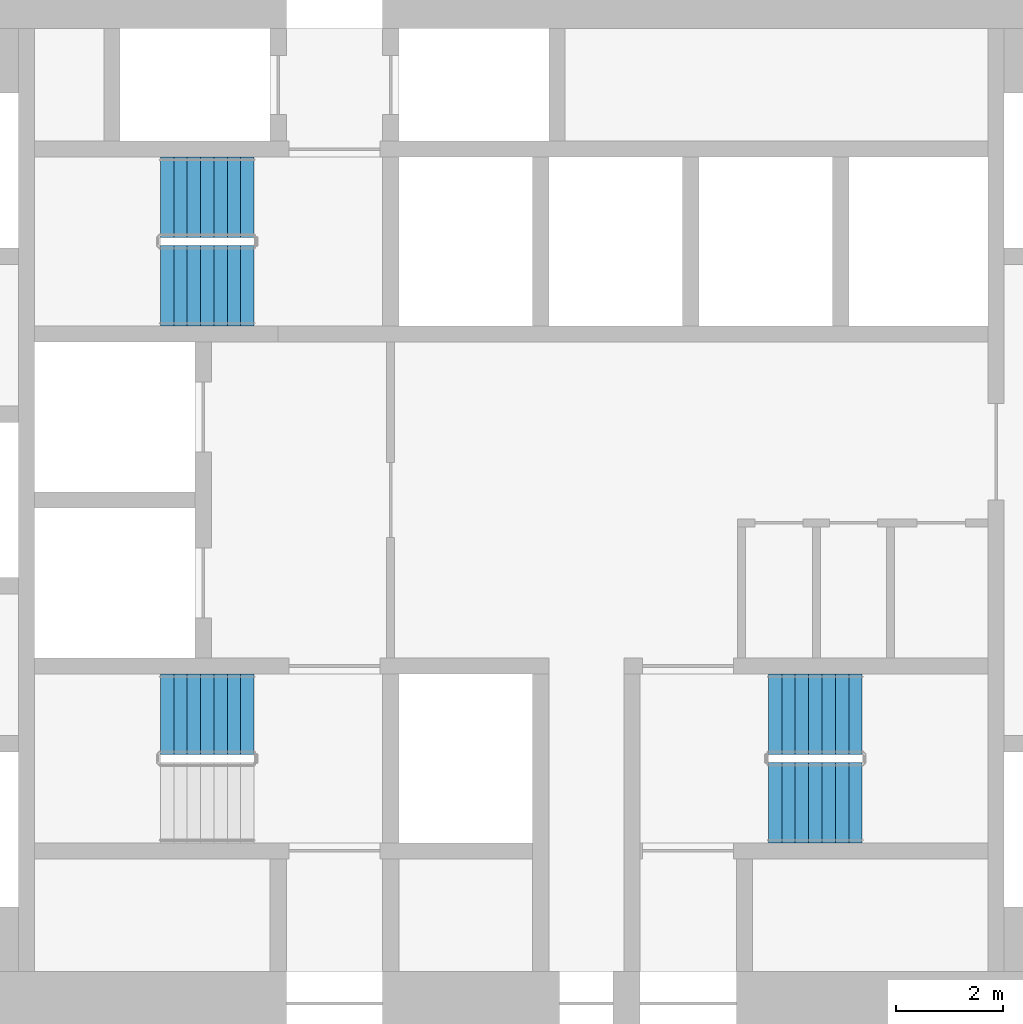
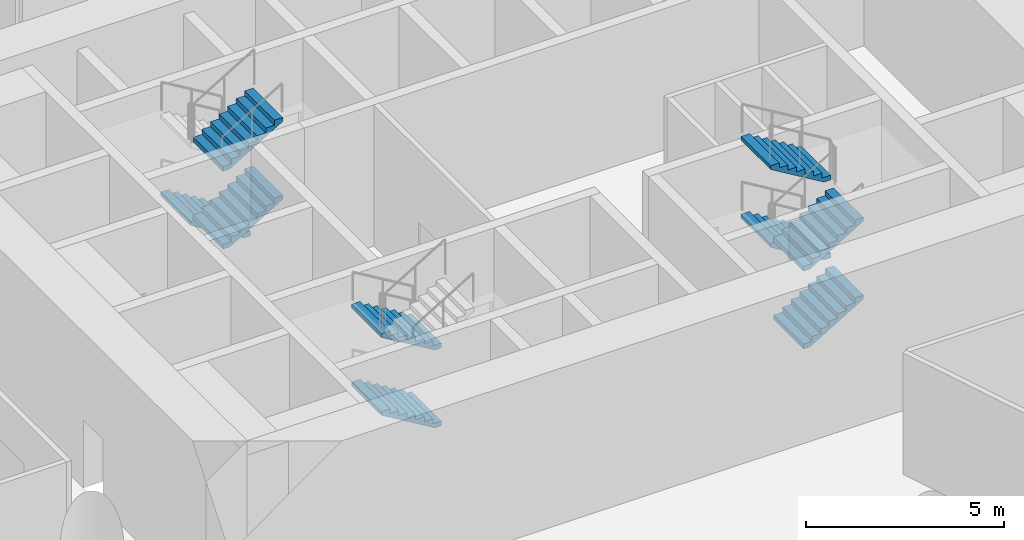
# One storey, part 10 of 12: 9 stair flights, 3 elements without a shape of their own.
"""IFC4 building model written with IfcOpenShell, lengths in metres."""

from ifc_helpers import new_model, si_unit, direction, frame, origin, place, context, subcontext, project, spatial, polyline, outline, extrude, material, type_object, element, aggregate, save


model = new_model("IFC4")

# Units and contexts
model_context = context("Model", 3, precision=1e-05, world=origin(), true_north=direction((0.0, 1.0)))
body_context = subcontext(model_context, "Body", "Model", "MODEL_VIEW")
ifc_project = project(units=[si_unit("LENGTHUNIT", "METRE"), si_unit("AREAUNIT", "SQUARE_METRE"), si_unit("VOLUMEUNIT", "CUBIC_METRE"), si_unit("PLANEANGLEUNIT", "RADIAN"), si_unit("MASSUNIT", "GRAM", prefix="KILO")], contexts=[model_context])

# Site, building, storey
site_placement = place(None, origin())
site = spatial("IfcSite", under=ifc_project, at=site_placement, CompositionType="ELEMENT")
building_placement = place(site_placement, origin())
building = spatial("IfcBuilding", under=site, at=building_placement, Name="Tracery Tower", CompositionType="ELEMENT")
storey_placement = place(building_placement, frame((0.0, 0.0, 13.800048828125)))
storey = spatial("IfcBuildingStorey", under=building, at=storey_placement, Name="L02", CompositionType="ELEMENT", Elevation=13.800048828125)

# Stair, stair flights
ifc_material_1 = material(Name="Concrete C32/40", Category="concrete")
stair_type = type_object("IfcStairType", Name="Core stair 32 risers", PredefinedType="HALF_TURN_STAIR", material=ifc_material_1)
stair_1_placement = place(storey_placement, origin())
stair_1 = element("IfcStair", 1, at=stair_1_placement, inside=storey, type_object=stair_type, Name="L02 stair ST1", PredefinedType="HALF_TURN_STAIR")
ifc_material_2 = material(Name="Concrete C32/40", Category="concrete")
stair_flight_type = type_object("IfcStairFlightType", Name="Core stair flight 8 risers", PredefinedType="STRAIGHT", material=ifc_material_2)
stair_flight_1_placement = place(storey_placement, frame((-4.800048828125, -4.0, 0.0), z_axis=(0.0, 0.0, 1.0), x_axis=(-1.0, 0.0, 0.0)))
stair_flight_1 = element("IfcStairFlight", 2, at=stair_flight_1_placement, type_object=stair_flight_type, Name="ST1 flight 1", NumberOfRisers=8, NumberOfTreads=7, PredefinedType="STRAIGHT", RiserHeight=0.15, TreadLength=0.25, context=body_context, shape_type="SweptSolid", body=[
    extrude(outline(polyline([(0.0, 0.0), (0.0, 0.00244140625), (0.0, 0.0048828125), (0.0, 0.00732421875), (0.0, 0.009765625), (0.0, 0.01220703125), (0.0, 0.0146484375), (0.0, 0.017333984375), (0.0, 0.019775390625), (0.0, 0.022216796875), (0.0, 0.024658203125), (0.0, 0.027099609375), (0.0, 0.029541015625), (0.0, 0.031982421875), (0.0, 0.034423828125), (0.0, 0.036865234375), (0.0, 0.039306640625), (0.0, 0.041748046875), (0.0, 0.044189453125), (0.0, 0.046630859375), (0.0, 0.049072265625), (0.0, 0.0517578125), (0.0, 0.05419921875), (0.0, 0.056640625), (0.0, 0.05908203125), (0.0, 0.0615234375), (0.0, 0.06396484375), (0.0, 0.06640625), (0.0, 0.06884765625), (0.0, 0.0712890625), (0.0, 0.07373046875), (0.0, 0.076171875), (0.0, 0.07861328125), (0.0, 0.0810546875), (0.0, 0.08349609375), (0.0, 0.086181640625), (0.0, 0.088623046875), (0.0, 0.091064453125), (0.0, 0.093505859375), (0.0, 0.095947265625), (0.0, 0.098388671875), (0.0, 0.100830078125), (0.0, 0.103271484375), (0.0, 0.105712890625), (0.0, 0.108154296875), (0.0, 0.110595703125), (0.0, 0.113037109375), (0.0, 0.115478515625), (0.0, 0.117919921875), (0.0, 0.12060546875), (0.0, 0.123046875), (0.0, 0.12548828125), (0.0, 0.1279296875), (0.0, 0.13037109375), (0.0, 0.1328125), (0.0, 0.13525390625), (0.0, 0.1376953125), (0.0, 0.14013671875), (0.0, 0.142578125), (0.0, 0.14501953125), (0.0, 0.1474609375), (0.0, 0.14990234375), (0.25, 0.14990234375), (0.25, 0.300048828125), (0.5, 0.300048828125), (0.5, 0.449951171875), (0.75, 0.449951171875), (0.75, 0.60009765625), (1.0, 0.60009765625), (1.0, 0.75), (1.25, 0.75), (1.25, 0.89990234375), (1.5, 0.89990234375), (1.5, 1.050048828125), (1.75, 1.050048828125), (1.75, 1.048095703125), (1.75, 1.046142578125), (1.75, 1.044189453125), (1.75, 1.042236328125), (1.75, 1.04052734375), (1.75, 1.03857421875), (1.75, 1.03662109375), (1.75, 1.03466796875), (1.75, 1.03271484375), (1.75, 1.03076171875), (1.75, 1.029052734375), (1.75, 1.027099609375), (1.75, 1.025146484375), (1.75, 1.023193359375), (1.75, 1.021240234375), (1.75, 1.019287109375), (1.75, 1.017578125), (1.75, 1.015625), (1.75, 1.013671875), (1.75, 1.01171875), (1.75, 1.009765625), (1.75, 1.0078125), (1.75, 1.006103515625), (1.75, 1.004150390625), (1.75, 1.002197265625), (1.75, 1.000244140625), (1.75, 0.998291015625), (1.75, 0.996337890625), (1.75, 0.994384765625), (1.75, 0.99267578125), (1.75, 0.99072265625), (1.75, 0.98876953125), (1.75, 0.98681640625), (1.75, 0.98486328125), (1.75, 0.98291015625), (1.75, 0.981201171875), (1.75, 0.979248046875), (1.75, 0.977294921875), (1.75, 0.975341796875), (1.75, 0.973388671875), (1.75, 0.971435546875), (1.75, 0.9697265625), (1.75, 0.9677734375), (1.75, 0.9658203125), (1.75, 0.9638671875), (1.75, 0.9619140625), (1.75, 0.9599609375), (1.75, 0.958251953125), (1.75, 0.956298828125), (1.75, 0.954345703125), (1.75, 0.952392578125), (1.75, 0.950439453125), (1.75, 0.948486328125), (1.75, 0.94677734375), (1.75, 0.94482421875), (1.75, 0.94287109375), (1.75, 0.94091796875), (1.75, 0.93896484375), (1.75, 0.93701171875), (1.75, 0.935302734375), (1.75, 0.933349609375), (0.194580078125, 0.0), (0.0, 0.0)])), frame((0.0, 0.75, 0.0), z_axis=(0.0, -1.0, 0.0), x_axis=(1.0, 0.0, 0.0)), (0.0, 0.0, 1.0), 1.5),
])
stair_flight_2_placement = place(storey_placement, frame((-4.800048828125, -4.0, 2.39990234375), z_axis=(0.0, 0.0, 1.0), x_axis=(-1.0, 0.0, 0.0)))
stair_flight_2 = element("IfcStairFlight", 3, at=stair_flight_2_placement, type_object=stair_flight_type, Name="ST1 flight 3", NumberOfRisers=8, NumberOfTreads=7, PredefinedType="STRAIGHT", RiserHeight=0.15, TreadLength=0.25, context=body_context, shape_type="SweptSolid", body=[
    extrude(outline(polyline([(0.0, 0.0), (0.0, 0.00244140625), (0.0, 0.0048828125), (0.0, 0.00732421875), (0.0, 0.009765625), (0.0, 0.01220703125), (0.0, 0.0146484375), (0.0, 0.017333984375), (0.0, 0.019775390625), (0.0, 0.022216796875), (0.0, 0.024658203125), (0.0, 0.027099609375), (0.0, 0.029541015625), (0.0, 0.031982421875), (0.0, 0.034423828125), (0.0, 0.036865234375), (0.0, 0.039306640625), (0.0, 0.041748046875), (0.0, 0.044189453125), (0.0, 0.046630859375), (0.0, 0.049072265625), (0.0, 0.0517578125), (0.0, 0.05419921875), (0.0, 0.056640625), (0.0, 0.05908203125), (0.0, 0.0615234375), (0.0, 0.06396484375), (0.0, 0.06640625), (0.0, 0.06884765625), (0.0, 0.0712890625), (0.0, 0.07373046875), (0.0, 0.076171875), (0.0, 0.07861328125), (0.0, 0.0810546875), (0.0, 0.08349609375), (0.0, 0.086181640625), (0.0, 0.088623046875), (0.0, 0.091064453125), (0.0, 0.093505859375), (0.0, 0.095947265625), (0.0, 0.098388671875), (0.0, 0.100830078125), (0.0, 0.103271484375), (0.0, 0.105712890625), (0.0, 0.108154296875), (0.0, 0.110595703125), (0.0, 0.113037109375), (0.0, 0.115478515625), (0.0, 0.117919921875), (0.0, 0.12060546875), (0.0, 0.123046875), (0.0, 0.12548828125), (0.0, 0.1279296875), (0.0, 0.13037109375), (0.0, 0.1328125), (0.0, 0.13525390625), (0.0, 0.1376953125), (0.0, 0.14013671875), (0.0, 0.142578125), (0.0, 0.14501953125), (0.0, 0.1474609375), (0.0, 0.14990234375), (0.25, 0.14990234375), (0.25, 0.300048828125), (0.5, 0.300048828125), (0.5, 0.449951171875), (0.75, 0.449951171875), (0.75, 0.60009765625), (1.0, 0.60009765625), (1.0, 0.75), (1.25, 0.75), (1.25, 0.89990234375), (1.5, 0.89990234375), (1.5, 1.050048828125), (1.75, 1.050048828125), (1.75, 1.048095703125), (1.75, 1.046142578125), (1.75, 1.044189453125), (1.75, 1.042236328125), (1.75, 1.04052734375), (1.75, 1.03857421875), (1.75, 1.03662109375), (1.75, 1.03466796875), (1.75, 1.03271484375), (1.75, 1.03076171875), (1.75, 1.029052734375), (1.75, 1.027099609375), (1.75, 1.025146484375), (1.75, 1.023193359375), (1.75, 1.021240234375), (1.75, 1.019287109375), (1.75, 1.017578125), (1.75, 1.015625), (1.75, 1.013671875), (1.75, 1.01171875), (1.75, 1.009765625), (1.75, 1.0078125), (1.75, 1.006103515625), (1.75, 1.004150390625), (1.75, 1.002197265625), (1.75, 1.000244140625), (1.75, 0.998291015625), (1.75, 0.996337890625), (1.75, 0.994384765625), (1.75, 0.99267578125), (1.75, 0.99072265625), (1.75, 0.98876953125), (1.75, 0.98681640625), (1.75, 0.98486328125), (1.75, 0.98291015625), (1.75, 0.981201171875), (1.75, 0.979248046875), (1.75, 0.977294921875), (1.75, 0.975341796875), (1.75, 0.973388671875), (1.75, 0.971435546875), (1.75, 0.9697265625), (1.75, 0.9677734375), (1.75, 0.9658203125), (1.75, 0.9638671875), (1.75, 0.9619140625), (1.75, 0.9599609375), (1.75, 0.958251953125), (1.75, 0.956298828125), (1.75, 0.954345703125), (1.75, 0.952392578125), (1.75, 0.950439453125), (1.75, 0.948486328125), (1.75, 0.94677734375), (1.75, 0.94482421875), (1.75, 0.94287109375), (1.75, 0.94091796875), (1.75, 0.93896484375), (1.75, 0.93701171875), (1.75, 0.935302734375), (1.75, 0.933349609375), (0.194580078125, 0.0), (0.0, 0.0)])), frame((0.0, 0.75, 0.0), z_axis=(0.0, -1.0, 0.0), x_axis=(1.0, 0.0, 0.0)), (0.0, 0.0, 1.0), 1.5),
])
aggregate(stair_1, [stair_flight_1, stair_flight_2])

stair_2_placement = place(storey_placement, origin())
stair_2 = element("IfcStair", 4, at=stair_2_placement, inside=storey, type_object=stair_type, Name="L02 stair ST3", PredefinedType="HALF_TURN_STAIR")
stair_flight_3_placement = place(storey_placement, frame((-4.800048828125, 5.64990234375, 0.0), z_axis=(0.0, 0.0, 1.0), x_axis=(-1.0, 0.0, 0.0)))
stair_flight_3 = element("IfcStairFlight", 5, at=stair_flight_3_placement, type_object=stair_flight_type, Name="ST3 flight 1", NumberOfRisers=8, NumberOfTreads=7, PredefinedType="STRAIGHT", RiserHeight=0.15, TreadLength=0.25, context=body_context, shape_type="SweptSolid", body=[
    extrude(outline(polyline([(0.0, 0.0), (0.0, 0.00244140625), (0.0, 0.0048828125), (0.0, 0.00732421875), (0.0, 0.009765625), (0.0, 0.01220703125), (0.0, 0.0146484375), (0.0, 0.017333984375), (0.0, 0.019775390625), (0.0, 0.022216796875), (0.0, 0.024658203125), (0.0, 0.027099609375), (0.0, 0.029541015625), (0.0, 0.031982421875), (0.0, 0.034423828125), (0.0, 0.036865234375), (0.0, 0.039306640625), (0.0, 0.041748046875), (0.0, 0.044189453125), (0.0, 0.046630859375), (0.0, 0.049072265625), (0.0, 0.0517578125), (0.0, 0.05419921875), (0.0, 0.056640625), (0.0, 0.05908203125), (0.0, 0.0615234375), (0.0, 0.06396484375), (0.0, 0.06640625), (0.0, 0.06884765625), (0.0, 0.0712890625), (0.0, 0.07373046875), (0.0, 0.076171875), (0.0, 0.07861328125), (0.0, 0.0810546875), (0.0, 0.08349609375), (0.0, 0.086181640625), (0.0, 0.088623046875), (0.0, 0.091064453125), (0.0, 0.093505859375), (0.0, 0.095947265625), (0.0, 0.098388671875), (0.0, 0.100830078125), (0.0, 0.103271484375), (0.0, 0.105712890625), (0.0, 0.108154296875), (0.0, 0.110595703125), (0.0, 0.113037109375), (0.0, 0.115478515625), (0.0, 0.117919921875), (0.0, 0.12060546875), (0.0, 0.123046875), (0.0, 0.12548828125), (0.0, 0.1279296875), (0.0, 0.13037109375), (0.0, 0.1328125), (0.0, 0.13525390625), (0.0, 0.1376953125), (0.0, 0.14013671875), (0.0, 0.142578125), (0.0, 0.14501953125), (0.0, 0.1474609375), (0.0, 0.14990234375), (0.25, 0.14990234375), (0.25, 0.300048828125), (0.5, 0.300048828125), (0.5, 0.449951171875), (0.75, 0.449951171875), (0.75, 0.60009765625), (1.0, 0.60009765625), (1.0, 0.75), (1.25, 0.75), (1.25, 0.89990234375), (1.5, 0.89990234375), (1.5, 1.050048828125), (1.75, 1.050048828125), (1.75, 1.048095703125), (1.75, 1.046142578125), (1.75, 1.044189453125), (1.75, 1.042236328125), (1.75, 1.04052734375), (1.75, 1.03857421875), (1.75, 1.03662109375), (1.75, 1.03466796875), (1.75, 1.03271484375), (1.75, 1.03076171875), (1.75, 1.029052734375), (1.75, 1.027099609375), (1.75, 1.025146484375), (1.75, 1.023193359375), (1.75, 1.021240234375), (1.75, 1.019287109375), (1.75, 1.017578125), (1.75, 1.015625), (1.75, 1.013671875), (1.75, 1.01171875), (1.75, 1.009765625), (1.75, 1.0078125), (1.75, 1.006103515625), (1.75, 1.004150390625), (1.75, 1.002197265625), (1.75, 1.000244140625), (1.75, 0.998291015625), (1.75, 0.996337890625), (1.75, 0.994384765625), (1.75, 0.99267578125), (1.75, 0.99072265625), (1.75, 0.98876953125), (1.75, 0.98681640625), (1.75, 0.98486328125), (1.75, 0.98291015625), (1.75, 0.981201171875), (1.75, 0.979248046875), (1.75, 0.977294921875), (1.75, 0.975341796875), (1.75, 0.973388671875), (1.75, 0.971435546875), (1.75, 0.9697265625), (1.75, 0.9677734375), (1.75, 0.9658203125), (1.75, 0.9638671875), (1.75, 0.9619140625), (1.75, 0.9599609375), (1.75, 0.958251953125), (1.75, 0.956298828125), (1.75, 0.954345703125), (1.75, 0.952392578125), (1.75, 0.950439453125), (1.75, 0.948486328125), (1.75, 0.94677734375), (1.75, 0.94482421875), (1.75, 0.94287109375), (1.75, 0.94091796875), (1.75, 0.93896484375), (1.75, 0.93701171875), (1.75, 0.935302734375), (1.75, 0.933349609375), (0.194580078125, 0.0), (0.0, 0.0)])), frame((0.0, 0.75, 0.0), z_axis=(0.0, -1.0, 0.0), x_axis=(1.0, 0.0, 0.0)), (0.0, 0.0, 1.0), 1.5),
])
stair_flight_4_placement = place(storey_placement, frame((-6.550048828125, 4.0, 1.199951171875), z_axis=(0.0, 0.0, 1.0), x_axis=(1.0, 0.0, 0.0)))
stair_flight_4 = element("IfcStairFlight", 6, at=stair_flight_4_placement, type_object=stair_flight_type, Name="ST3 flight 2", NumberOfRisers=8, NumberOfTreads=7, PredefinedType="STRAIGHT", RiserHeight=0.15, TreadLength=0.25, context=body_context, shape_type="SweptSolid", body=[
    extrude(outline(polyline([(0.0, 0.0), (0.0, 0.00244140625), (0.0, 0.0048828125), (0.0, 0.00732421875), (0.0, 0.009765625), (0.0, 0.01220703125), (0.0, 0.0146484375), (0.0, 0.017333984375), (0.0, 0.019775390625), (0.0, 0.022216796875), (0.0, 0.024658203125), (0.0, 0.027099609375), (0.0, 0.029541015625), (0.0, 0.031982421875), (0.0, 0.034423828125), (0.0, 0.036865234375), (0.0, 0.039306640625), (0.0, 0.041748046875), (0.0, 0.044189453125), (0.0, 0.046630859375), (0.0, 0.049072265625), (0.0, 0.0517578125), (0.0, 0.05419921875), (0.0, 0.056640625), (0.0, 0.05908203125), (0.0, 0.0615234375), (0.0, 0.06396484375), (0.0, 0.06640625), (0.0, 0.06884765625), (0.0, 0.0712890625), (0.0, 0.07373046875), (0.0, 0.076171875), (0.0, 0.07861328125), (0.0, 0.0810546875), (0.0, 0.08349609375), (0.0, 0.086181640625), (0.0, 0.088623046875), (0.0, 0.091064453125), (0.0, 0.093505859375), (0.0, 0.095947265625), (0.0, 0.098388671875), (0.0, 0.100830078125), (0.0, 0.103271484375), (0.0, 0.105712890625), (0.0, 0.108154296875), (0.0, 0.110595703125), (0.0, 0.113037109375), (0.0, 0.115478515625), (0.0, 0.117919921875), (0.0, 0.12060546875), (0.0, 0.123046875), (0.0, 0.12548828125), (0.0, 0.1279296875), (0.0, 0.13037109375), (0.0, 0.1328125), (0.0, 0.13525390625), (0.0, 0.1376953125), (0.0, 0.14013671875), (0.0, 0.142578125), (0.0, 0.14501953125), (0.0, 0.1474609375), (0.0, 0.14990234375), (0.25, 0.14990234375), (0.25, 0.300048828125), (0.5, 0.300048828125), (0.5, 0.449951171875), (0.75, 0.449951171875), (0.75, 0.60009765625), (1.0, 0.60009765625), (1.0, 0.75), (1.25, 0.75), (1.25, 0.89990234375), (1.5, 0.89990234375), (1.5, 1.050048828125), (1.75, 1.050048828125), (1.75, 1.048095703125), (1.75, 1.046142578125), (1.75, 1.044189453125), (1.75, 1.042236328125), (1.75, 1.04052734375), (1.75, 1.03857421875), (1.75, 1.03662109375), (1.75, 1.03466796875), (1.75, 1.03271484375), (1.75, 1.03076171875), (1.75, 1.029052734375), (1.75, 1.027099609375), (1.75, 1.025146484375), (1.75, 1.023193359375), (1.75, 1.021240234375), (1.75, 1.019287109375), (1.75, 1.017578125), (1.75, 1.015625), (1.75, 1.013671875), (1.75, 1.01171875), (1.75, 1.009765625), (1.75, 1.0078125), (1.75, 1.006103515625), (1.75, 1.004150390625), (1.75, 1.002197265625), (1.75, 1.000244140625), (1.75, 0.998291015625), (1.75, 0.996337890625), (1.75, 0.994384765625), (1.75, 0.99267578125), (1.75, 0.99072265625), (1.75, 0.98876953125), (1.75, 0.98681640625), (1.75, 0.98486328125), (1.75, 0.98291015625), (1.75, 0.981201171875), (1.75, 0.979248046875), (1.75, 0.977294921875), (1.75, 0.975341796875), (1.75, 0.973388671875), (1.75, 0.971435546875), (1.75, 0.9697265625), (1.75, 0.9677734375), (1.75, 0.9658203125), (1.75, 0.9638671875), (1.75, 0.9619140625), (1.75, 0.9599609375), (1.75, 0.958251953125), (1.75, 0.956298828125), (1.75, 0.954345703125), (1.75, 0.952392578125), (1.75, 0.950439453125), (1.75, 0.948486328125), (1.75, 0.94677734375), (1.75, 0.94482421875), (1.75, 0.94287109375), (1.75, 0.94091796875), (1.75, 0.93896484375), (1.75, 0.93701171875), (1.75, 0.935302734375), (1.75, 0.933349609375), (0.194580078125, 0.0), (0.0, 0.0)])), frame((0.0, 0.75, 0.0), z_axis=(0.0, -1.0, 0.0), x_axis=(1.0, 0.0, 0.0)), (0.0, 0.0, 1.0), 1.5),
])
stair_flight_5_placement = place(storey_placement, frame((-6.550048828125, 4.0, 3.599853515625), z_axis=(0.0, 0.0, 1.0), x_axis=(1.0, 0.0, 0.0)))
stair_flight_5 = element("IfcStairFlight", 7, at=stair_flight_5_placement, type_object=stair_flight_type, Name="ST3 flight 4", NumberOfRisers=8, NumberOfTreads=7, PredefinedType="STRAIGHT", RiserHeight=0.15, TreadLength=0.25, context=body_context, shape_type="SweptSolid", body=[
    extrude(outline(polyline([(0.0, 0.0), (0.0, 0.00244140625), (0.0, 0.0048828125), (0.0, 0.00732421875), (0.0, 0.009765625), (0.0, 0.01220703125), (0.0, 0.0146484375), (0.0, 0.017333984375), (0.0, 0.019775390625), (0.0, 0.022216796875), (0.0, 0.024658203125), (0.0, 0.027099609375), (0.0, 0.029541015625), (0.0, 0.031982421875), (0.0, 0.034423828125), (0.0, 0.036865234375), (0.0, 0.039306640625), (0.0, 0.041748046875), (0.0, 0.044189453125), (0.0, 0.046630859375), (0.0, 0.049072265625), (0.0, 0.0517578125), (0.0, 0.05419921875), (0.0, 0.056640625), (0.0, 0.05908203125), (0.0, 0.0615234375), (0.0, 0.06396484375), (0.0, 0.06640625), (0.0, 0.06884765625), (0.0, 0.0712890625), (0.0, 0.07373046875), (0.0, 0.076171875), (0.0, 0.07861328125), (0.0, 0.0810546875), (0.0, 0.08349609375), (0.0, 0.086181640625), (0.0, 0.088623046875), (0.0, 0.091064453125), (0.0, 0.093505859375), (0.0, 0.095947265625), (0.0, 0.098388671875), (0.0, 0.100830078125), (0.0, 0.103271484375), (0.0, 0.105712890625), (0.0, 0.108154296875), (0.0, 0.110595703125), (0.0, 0.113037109375), (0.0, 0.115478515625), (0.0, 0.117919921875), (0.0, 0.12060546875), (0.0, 0.123046875), (0.0, 0.12548828125), (0.0, 0.1279296875), (0.0, 0.13037109375), (0.0, 0.1328125), (0.0, 0.13525390625), (0.0, 0.1376953125), (0.0, 0.14013671875), (0.0, 0.142578125), (0.0, 0.14501953125), (0.0, 0.1474609375), (0.0, 0.14990234375), (0.25, 0.14990234375), (0.25, 0.300048828125), (0.5, 0.300048828125), (0.5, 0.449951171875), (0.75, 0.449951171875), (0.75, 0.60009765625), (1.0, 0.60009765625), (1.0, 0.75), (1.25, 0.75), (1.25, 0.89990234375), (1.5, 0.89990234375), (1.5, 1.050048828125), (1.75, 1.050048828125), (1.75, 1.048095703125), (1.75, 1.046142578125), (1.75, 1.044189453125), (1.75, 1.042236328125), (1.75, 1.04052734375), (1.75, 1.03857421875), (1.75, 1.03662109375), (1.75, 1.03466796875), (1.75, 1.03271484375), (1.75, 1.03076171875), (1.75, 1.029052734375), (1.75, 1.027099609375), (1.75, 1.025146484375), (1.75, 1.023193359375), (1.75, 1.021240234375), (1.75, 1.019287109375), (1.75, 1.017578125), (1.75, 1.015625), (1.75, 1.013671875), (1.75, 1.01171875), (1.75, 1.009765625), (1.75, 1.0078125), (1.75, 1.006103515625), (1.75, 1.004150390625), (1.75, 1.002197265625), (1.75, 1.000244140625), (1.75, 0.998291015625), (1.75, 0.996337890625), (1.75, 0.994384765625), (1.75, 0.99267578125), (1.75, 0.99072265625), (1.75, 0.98876953125), (1.75, 0.98681640625), (1.75, 0.98486328125), (1.75, 0.98291015625), (1.75, 0.981201171875), (1.75, 0.979248046875), (1.75, 0.977294921875), (1.75, 0.975341796875), (1.75, 0.973388671875), (1.75, 0.971435546875), (1.75, 0.9697265625), (1.75, 0.9677734375), (1.75, 0.9658203125), (1.75, 0.9638671875), (1.75, 0.9619140625), (1.75, 0.9599609375), (1.75, 0.958251953125), (1.75, 0.956298828125), (1.75, 0.954345703125), (1.75, 0.952392578125), (1.75, 0.950439453125), (1.75, 0.948486328125), (1.75, 0.94677734375), (1.75, 0.94482421875), (1.75, 0.94287109375), (1.75, 0.94091796875), (1.75, 0.93896484375), (1.75, 0.93701171875), (1.75, 0.935302734375), (1.75, 0.933349609375), (0.194580078125, 0.0), (0.0, 0.0)])), frame((0.0, 0.75, 0.0), z_axis=(0.0, -1.0, 0.0), x_axis=(1.0, 0.0, 0.0)), (0.0, 0.0, 1.0), 1.5),
])
aggregate(stair_2, [stair_flight_3, stair_flight_4, stair_flight_5])

stair_3_placement = place(storey_placement, origin())
stair_3 = element("IfcStair", 8, at=stair_3_placement, inside=storey, type_object=stair_type, Name="L02 stair ST2", PredefinedType="HALF_TURN_STAIR")
stair_flight_6_placement = place(storey_placement, frame((4.800048828125, -5.64990234375, 0.0), z_axis=(0.0, 0.0, 1.0), x_axis=(1.0, 0.0, 0.0)))
stair_flight_6 = element("IfcStairFlight", 9, at=stair_flight_6_placement, type_object=stair_flight_type, Name="ST2 flight 1", NumberOfRisers=8, NumberOfTreads=7, PredefinedType="STRAIGHT", RiserHeight=0.15, TreadLength=0.25, context=body_context, shape_type="SweptSolid", body=[
    extrude(outline(polyline([(0.0, 0.0), (0.0, 0.00244140625), (0.0, 0.0048828125), (0.0, 0.00732421875), (0.0, 0.009765625), (0.0, 0.01220703125), (0.0, 0.0146484375), (0.0, 0.017333984375), (0.0, 0.019775390625), (0.0, 0.022216796875), (0.0, 0.024658203125), (0.0, 0.027099609375), (0.0, 0.029541015625), (0.0, 0.031982421875), (0.0, 0.034423828125), (0.0, 0.036865234375), (0.0, 0.039306640625), (0.0, 0.041748046875), (0.0, 0.044189453125), (0.0, 0.046630859375), (0.0, 0.049072265625), (0.0, 0.0517578125), (0.0, 0.05419921875), (0.0, 0.056640625), (0.0, 0.05908203125), (0.0, 0.0615234375), (0.0, 0.06396484375), (0.0, 0.06640625), (0.0, 0.06884765625), (0.0, 0.0712890625), (0.0, 0.07373046875), (0.0, 0.076171875), (0.0, 0.07861328125), (0.0, 0.0810546875), (0.0, 0.08349609375), (0.0, 0.086181640625), (0.0, 0.088623046875), (0.0, 0.091064453125), (0.0, 0.093505859375), (0.0, 0.095947265625), (0.0, 0.098388671875), (0.0, 0.100830078125), (0.0, 0.103271484375), (0.0, 0.105712890625), (0.0, 0.108154296875), (0.0, 0.110595703125), (0.0, 0.113037109375), (0.0, 0.115478515625), (0.0, 0.117919921875), (0.0, 0.12060546875), (0.0, 0.123046875), (0.0, 0.12548828125), (0.0, 0.1279296875), (0.0, 0.13037109375), (0.0, 0.1328125), (0.0, 0.13525390625), (0.0, 0.1376953125), (0.0, 0.14013671875), (0.0, 0.142578125), (0.0, 0.14501953125), (0.0, 0.1474609375), (0.0, 0.14990234375), (0.25, 0.14990234375), (0.25, 0.300048828125), (0.5, 0.300048828125), (0.5, 0.449951171875), (0.75, 0.449951171875), (0.75, 0.60009765625), (1.0, 0.60009765625), (1.0, 0.75), (1.25, 0.75), (1.25, 0.89990234375), (1.5, 0.89990234375), (1.5, 1.050048828125), (1.75, 1.050048828125), (1.75, 1.048095703125), (1.75, 1.046142578125), (1.75, 1.044189453125), (1.75, 1.042236328125), (1.75, 1.04052734375), (1.75, 1.03857421875), (1.75, 1.03662109375), (1.75, 1.03466796875), (1.75, 1.03271484375), (1.75, 1.03076171875), (1.75, 1.029052734375), (1.75, 1.027099609375), (1.75, 1.025146484375), (1.75, 1.023193359375), (1.75, 1.021240234375), (1.75, 1.019287109375), (1.75, 1.017578125), (1.75, 1.015625), (1.75, 1.013671875), (1.75, 1.01171875), (1.75, 1.009765625), (1.75, 1.0078125), (1.75, 1.006103515625), (1.75, 1.004150390625), (1.75, 1.002197265625), (1.75, 1.000244140625), (1.75, 0.998291015625), (1.75, 0.996337890625), (1.75, 0.994384765625), (1.75, 0.99267578125), (1.75, 0.99072265625), (1.75, 0.98876953125), (1.75, 0.98681640625), (1.75, 0.98486328125), (1.75, 0.98291015625), (1.75, 0.981201171875), (1.75, 0.979248046875), (1.75, 0.977294921875), (1.75, 0.975341796875), (1.75, 0.973388671875), (1.75, 0.971435546875), (1.75, 0.9697265625), (1.75, 0.9677734375), (1.75, 0.9658203125), (1.75, 0.9638671875), (1.75, 0.9619140625), (1.75, 0.9599609375), (1.75, 0.958251953125), (1.75, 0.956298828125), (1.75, 0.954345703125), (1.75, 0.952392578125), (1.75, 0.950439453125), (1.75, 0.948486328125), (1.75, 0.94677734375), (1.75, 0.94482421875), (1.75, 0.94287109375), (1.75, 0.94091796875), (1.75, 0.93896484375), (1.75, 0.93701171875), (1.75, 0.935302734375), (1.75, 0.933349609375), (0.194580078125, 0.0), (0.0, 0.0)])), frame((0.0, 0.75, 0.0), z_axis=(0.0, -1.0, 0.0), x_axis=(1.0, 0.0, 0.0)), (0.0, 0.0, 1.0), 1.5),
])
stair_flight_7_placement = place(storey_placement, frame((6.550048828125, -4.0, 1.199951171875), z_axis=(0.0, 0.0, 1.0), x_axis=(-1.0, 0.0, 0.0)))
stair_flight_7 = element("IfcStairFlight", 10, at=stair_flight_7_placement, type_object=stair_flight_type, Name="ST2 flight 2", NumberOfRisers=8, NumberOfTreads=7, PredefinedType="STRAIGHT", RiserHeight=0.15, TreadLength=0.25, context=body_context, shape_type="SweptSolid", body=[
    extrude(outline(polyline([(0.0, 0.0), (0.0, 0.00244140625), (0.0, 0.0048828125), (0.0, 0.00732421875), (0.0, 0.009765625), (0.0, 0.01220703125), (0.0, 0.0146484375), (0.0, 0.017333984375), (0.0, 0.019775390625), (0.0, 0.022216796875), (0.0, 0.024658203125), (0.0, 0.027099609375), (0.0, 0.029541015625), (0.0, 0.031982421875), (0.0, 0.034423828125), (0.0, 0.036865234375), (0.0, 0.039306640625), (0.0, 0.041748046875), (0.0, 0.044189453125), (0.0, 0.046630859375), (0.0, 0.049072265625), (0.0, 0.0517578125), (0.0, 0.05419921875), (0.0, 0.056640625), (0.0, 0.05908203125), (0.0, 0.0615234375), (0.0, 0.06396484375), (0.0, 0.06640625), (0.0, 0.06884765625), (0.0, 0.0712890625), (0.0, 0.07373046875), (0.0, 0.076171875), (0.0, 0.07861328125), (0.0, 0.0810546875), (0.0, 0.08349609375), (0.0, 0.086181640625), (0.0, 0.088623046875), (0.0, 0.091064453125), (0.0, 0.093505859375), (0.0, 0.095947265625), (0.0, 0.098388671875), (0.0, 0.100830078125), (0.0, 0.103271484375), (0.0, 0.105712890625), (0.0, 0.108154296875), (0.0, 0.110595703125), (0.0, 0.113037109375), (0.0, 0.115478515625), (0.0, 0.117919921875), (0.0, 0.12060546875), (0.0, 0.123046875), (0.0, 0.12548828125), (0.0, 0.1279296875), (0.0, 0.13037109375), (0.0, 0.1328125), (0.0, 0.13525390625), (0.0, 0.1376953125), (0.0, 0.14013671875), (0.0, 0.142578125), (0.0, 0.14501953125), (0.0, 0.1474609375), (0.0, 0.14990234375), (0.25, 0.14990234375), (0.25, 0.300048828125), (0.5, 0.300048828125), (0.5, 0.449951171875), (0.75, 0.449951171875), (0.75, 0.60009765625), (1.0, 0.60009765625), (1.0, 0.75), (1.25, 0.75), (1.25, 0.89990234375), (1.5, 0.89990234375), (1.5, 1.050048828125), (1.75, 1.050048828125), (1.75, 1.048095703125), (1.75, 1.046142578125), (1.75, 1.044189453125), (1.75, 1.042236328125), (1.75, 1.04052734375), (1.75, 1.03857421875), (1.75, 1.03662109375), (1.75, 1.03466796875), (1.75, 1.03271484375), (1.75, 1.03076171875), (1.75, 1.029052734375), (1.75, 1.027099609375), (1.75, 1.025146484375), (1.75, 1.023193359375), (1.75, 1.021240234375), (1.75, 1.019287109375), (1.75, 1.017578125), (1.75, 1.015625), (1.75, 1.013671875), (1.75, 1.01171875), (1.75, 1.009765625), (1.75, 1.0078125), (1.75, 1.006103515625), (1.75, 1.004150390625), (1.75, 1.002197265625), (1.75, 1.000244140625), (1.75, 0.998291015625), (1.75, 0.996337890625), (1.75, 0.994384765625), (1.75, 0.99267578125), (1.75, 0.99072265625), (1.75, 0.98876953125), (1.75, 0.98681640625), (1.75, 0.98486328125), (1.75, 0.98291015625), (1.75, 0.981201171875), (1.75, 0.979248046875), (1.75, 0.977294921875), (1.75, 0.975341796875), (1.75, 0.973388671875), (1.75, 0.971435546875), (1.75, 0.9697265625), (1.75, 0.9677734375), (1.75, 0.9658203125), (1.75, 0.9638671875), (1.75, 0.9619140625), (1.75, 0.9599609375), (1.75, 0.958251953125), (1.75, 0.956298828125), (1.75, 0.954345703125), (1.75, 0.952392578125), (1.75, 0.950439453125), (1.75, 0.948486328125), (1.75, 0.94677734375), (1.75, 0.94482421875), (1.75, 0.94287109375), (1.75, 0.94091796875), (1.75, 0.93896484375), (1.75, 0.93701171875), (1.75, 0.935302734375), (1.75, 0.933349609375), (0.194580078125, 0.0), (0.0, 0.0)])), frame((0.0, 0.75, 0.0), z_axis=(0.0, -1.0, 0.0), x_axis=(1.0, 0.0, 0.0)), (0.0, 0.0, 1.0), 1.5),
])
stair_flight_8_placement = place(storey_placement, frame((4.800048828125, -5.64990234375, 2.39990234375), z_axis=(0.0, 0.0, 1.0), x_axis=(1.0, 0.0, 0.0)))
stair_flight_8 = element("IfcStairFlight", 11, at=stair_flight_8_placement, type_object=stair_flight_type, Name="ST2 flight 3", NumberOfRisers=8, NumberOfTreads=7, PredefinedType="STRAIGHT", RiserHeight=0.15, TreadLength=0.25, context=body_context, shape_type="SweptSolid", body=[
    extrude(outline(polyline([(0.0, 0.0), (0.0, 0.00244140625), (0.0, 0.0048828125), (0.0, 0.00732421875), (0.0, 0.009765625), (0.0, 0.01220703125), (0.0, 0.0146484375), (0.0, 0.017333984375), (0.0, 0.019775390625), (0.0, 0.022216796875), (0.0, 0.024658203125), (0.0, 0.027099609375), (0.0, 0.029541015625), (0.0, 0.031982421875), (0.0, 0.034423828125), (0.0, 0.036865234375), (0.0, 0.039306640625), (0.0, 0.041748046875), (0.0, 0.044189453125), (0.0, 0.046630859375), (0.0, 0.049072265625), (0.0, 0.0517578125), (0.0, 0.05419921875), (0.0, 0.056640625), (0.0, 0.05908203125), (0.0, 0.0615234375), (0.0, 0.06396484375), (0.0, 0.06640625), (0.0, 0.06884765625), (0.0, 0.0712890625), (0.0, 0.07373046875), (0.0, 0.076171875), (0.0, 0.07861328125), (0.0, 0.0810546875), (0.0, 0.08349609375), (0.0, 0.086181640625), (0.0, 0.088623046875), (0.0, 0.091064453125), (0.0, 0.093505859375), (0.0, 0.095947265625), (0.0, 0.098388671875), (0.0, 0.100830078125), (0.0, 0.103271484375), (0.0, 0.105712890625), (0.0, 0.108154296875), (0.0, 0.110595703125), (0.0, 0.113037109375), (0.0, 0.115478515625), (0.0, 0.117919921875), (0.0, 0.12060546875), (0.0, 0.123046875), (0.0, 0.12548828125), (0.0, 0.1279296875), (0.0, 0.13037109375), (0.0, 0.1328125), (0.0, 0.13525390625), (0.0, 0.1376953125), (0.0, 0.14013671875), (0.0, 0.142578125), (0.0, 0.14501953125), (0.0, 0.1474609375), (0.0, 0.14990234375), (0.25, 0.14990234375), (0.25, 0.300048828125), (0.5, 0.300048828125), (0.5, 0.449951171875), (0.75, 0.449951171875), (0.75, 0.60009765625), (1.0, 0.60009765625), (1.0, 0.75), (1.25, 0.75), (1.25, 0.89990234375), (1.5, 0.89990234375), (1.5, 1.050048828125), (1.75, 1.050048828125), (1.75, 1.048095703125), (1.75, 1.046142578125), (1.75, 1.044189453125), (1.75, 1.042236328125), (1.75, 1.04052734375), (1.75, 1.03857421875), (1.75, 1.03662109375), (1.75, 1.03466796875), (1.75, 1.03271484375), (1.75, 1.03076171875), (1.75, 1.029052734375), (1.75, 1.027099609375), (1.75, 1.025146484375), (1.75, 1.023193359375), (1.75, 1.021240234375), (1.75, 1.019287109375), (1.75, 1.017578125), (1.75, 1.015625), (1.75, 1.013671875), (1.75, 1.01171875), (1.75, 1.009765625), (1.75, 1.0078125), (1.75, 1.006103515625), (1.75, 1.004150390625), (1.75, 1.002197265625), (1.75, 1.000244140625), (1.75, 0.998291015625), (1.75, 0.996337890625), (1.75, 0.994384765625), (1.75, 0.99267578125), (1.75, 0.99072265625), (1.75, 0.98876953125), (1.75, 0.98681640625), (1.75, 0.98486328125), (1.75, 0.98291015625), (1.75, 0.981201171875), (1.75, 0.979248046875), (1.75, 0.977294921875), (1.75, 0.975341796875), (1.75, 0.973388671875), (1.75, 0.971435546875), (1.75, 0.9697265625), (1.75, 0.9677734375), (1.75, 0.9658203125), (1.75, 0.9638671875), (1.75, 0.9619140625), (1.75, 0.9599609375), (1.75, 0.958251953125), (1.75, 0.956298828125), (1.75, 0.954345703125), (1.75, 0.952392578125), (1.75, 0.950439453125), (1.75, 0.948486328125), (1.75, 0.94677734375), (1.75, 0.94482421875), (1.75, 0.94287109375), (1.75, 0.94091796875), (1.75, 0.93896484375), (1.75, 0.93701171875), (1.75, 0.935302734375), (1.75, 0.933349609375), (0.194580078125, 0.0), (0.0, 0.0)])), frame((0.0, 0.75, 0.0), z_axis=(0.0, -1.0, 0.0), x_axis=(1.0, 0.0, 0.0)), (0.0, 0.0, 1.0), 1.5),
])
stair_flight_9_placement = place(storey_placement, frame((6.550048828125, -4.0, 3.599853515625), z_axis=(0.0, 0.0, 1.0), x_axis=(-1.0, 0.0, 0.0)))
stair_flight_9 = element("IfcStairFlight", 12, at=stair_flight_9_placement, type_object=stair_flight_type, Name="ST2 flight 4", NumberOfRisers=8, NumberOfTreads=7, PredefinedType="STRAIGHT", RiserHeight=0.15, TreadLength=0.25, context=body_context, shape_type="SweptSolid", body=[
    extrude(outline(polyline([(0.0, 0.0), (0.0, 0.00244140625), (0.0, 0.0048828125), (0.0, 0.00732421875), (0.0, 0.009765625), (0.0, 0.01220703125), (0.0, 0.0146484375), (0.0, 0.017333984375), (0.0, 0.019775390625), (0.0, 0.022216796875), (0.0, 0.024658203125), (0.0, 0.027099609375), (0.0, 0.029541015625), (0.0, 0.031982421875), (0.0, 0.034423828125), (0.0, 0.036865234375), (0.0, 0.039306640625), (0.0, 0.041748046875), (0.0, 0.044189453125), (0.0, 0.046630859375), (0.0, 0.049072265625), (0.0, 0.0517578125), (0.0, 0.05419921875), (0.0, 0.056640625), (0.0, 0.05908203125), (0.0, 0.0615234375), (0.0, 0.06396484375), (0.0, 0.06640625), (0.0, 0.06884765625), (0.0, 0.0712890625), (0.0, 0.07373046875), (0.0, 0.076171875), (0.0, 0.07861328125), (0.0, 0.0810546875), (0.0, 0.08349609375), (0.0, 0.086181640625), (0.0, 0.088623046875), (0.0, 0.091064453125), (0.0, 0.093505859375), (0.0, 0.095947265625), (0.0, 0.098388671875), (0.0, 0.100830078125), (0.0, 0.103271484375), (0.0, 0.105712890625), (0.0, 0.108154296875), (0.0, 0.110595703125), (0.0, 0.113037109375), (0.0, 0.115478515625), (0.0, 0.117919921875), (0.0, 0.12060546875), (0.0, 0.123046875), (0.0, 0.12548828125), (0.0, 0.1279296875), (0.0, 0.13037109375), (0.0, 0.1328125), (0.0, 0.13525390625), (0.0, 0.1376953125), (0.0, 0.14013671875), (0.0, 0.142578125), (0.0, 0.14501953125), (0.0, 0.1474609375), (0.0, 0.14990234375), (0.25, 0.14990234375), (0.25, 0.300048828125), (0.5, 0.300048828125), (0.5, 0.449951171875), (0.75, 0.449951171875), (0.75, 0.60009765625), (1.0, 0.60009765625), (1.0, 0.75), (1.25, 0.75), (1.25, 0.89990234375), (1.5, 0.89990234375), (1.5, 1.050048828125), (1.75, 1.050048828125), (1.75, 1.048095703125), (1.75, 1.046142578125), (1.75, 1.044189453125), (1.75, 1.042236328125), (1.75, 1.04052734375), (1.75, 1.03857421875), (1.75, 1.03662109375), (1.75, 1.03466796875), (1.75, 1.03271484375), (1.75, 1.03076171875), (1.75, 1.029052734375), (1.75, 1.027099609375), (1.75, 1.025146484375), (1.75, 1.023193359375), (1.75, 1.021240234375), (1.75, 1.019287109375), (1.75, 1.017578125), (1.75, 1.015625), (1.75, 1.013671875), (1.75, 1.01171875), (1.75, 1.009765625), (1.75, 1.0078125), (1.75, 1.006103515625), (1.75, 1.004150390625), (1.75, 1.002197265625), (1.75, 1.000244140625), (1.75, 0.998291015625), (1.75, 0.996337890625), (1.75, 0.994384765625), (1.75, 0.99267578125), (1.75, 0.99072265625), (1.75, 0.98876953125), (1.75, 0.98681640625), (1.75, 0.98486328125), (1.75, 0.98291015625), (1.75, 0.981201171875), (1.75, 0.979248046875), (1.75, 0.977294921875), (1.75, 0.975341796875), (1.75, 0.973388671875), (1.75, 0.971435546875), (1.75, 0.9697265625), (1.75, 0.9677734375), (1.75, 0.9658203125), (1.75, 0.9638671875), (1.75, 0.9619140625), (1.75, 0.9599609375), (1.75, 0.958251953125), (1.75, 0.956298828125), (1.75, 0.954345703125), (1.75, 0.952392578125), (1.75, 0.950439453125), (1.75, 0.948486328125), (1.75, 0.94677734375), (1.75, 0.94482421875), (1.75, 0.94287109375), (1.75, 0.94091796875), (1.75, 0.93896484375), (1.75, 0.93701171875), (1.75, 0.935302734375), (1.75, 0.933349609375), (0.194580078125, 0.0), (0.0, 0.0)])), frame((0.0, 0.75, 0.0), z_axis=(0.0, -1.0, 0.0), x_axis=(1.0, 0.0, 0.0)), (0.0, 0.0, 1.0), 1.5),
])
aggregate(stair_3, [stair_flight_6, stair_flight_7, stair_flight_8, stair_flight_9])

save(model, "model.ifc")
